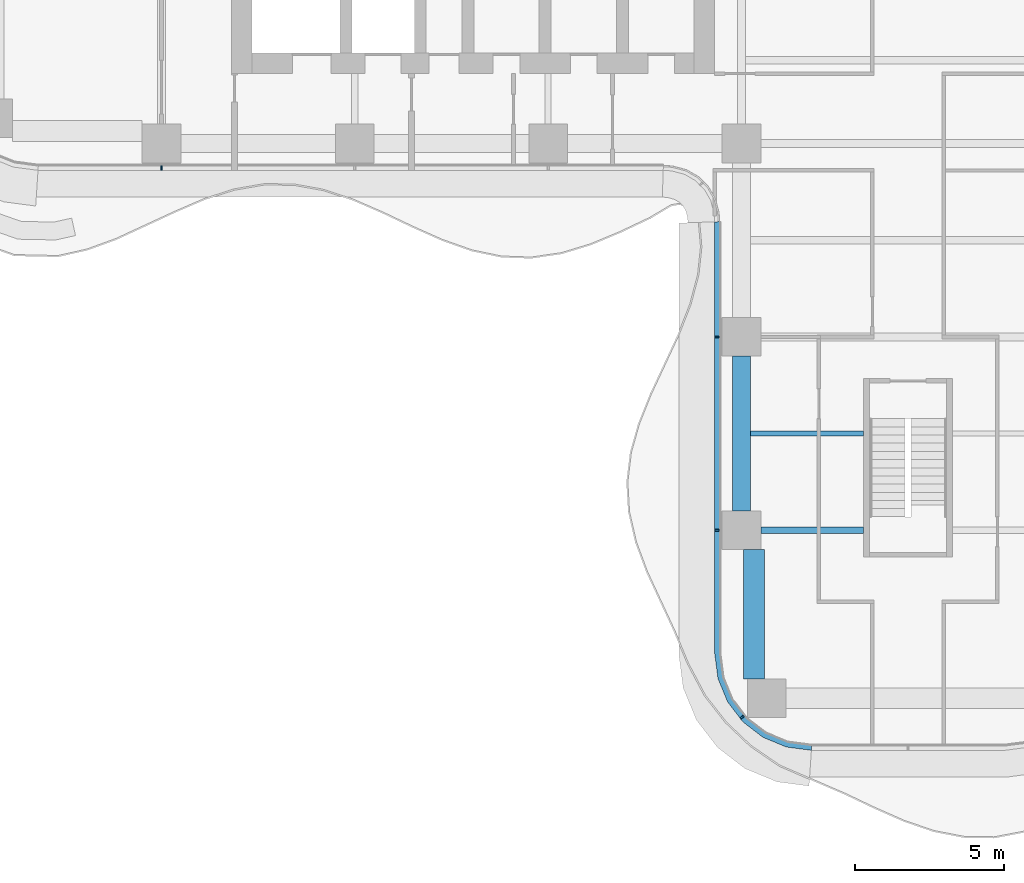
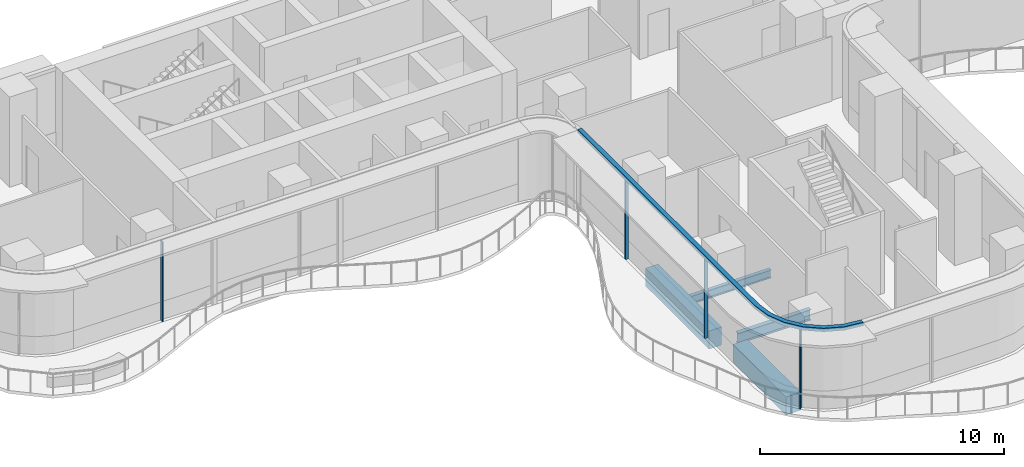
# One storey, part 2 of 20: 5 members, 4 beams, 2 elements without a shape of their own.
"""IFC4 building model written with IfcOpenShell, lengths in metres."""

from ifc_helpers import new_model, si_unit, direction, frame, origin, origin_2d, place, context, subcontext, project, spatial, polyline, rectangle, i_section, outline, extrude, source, transform, mapped, material, layer, layer_set, material_profile, profile_set, type_object, element, aggregate, save


model = new_model("IFC4")

# Units and contexts
model_context = context("Model", 3, precision=1e-05, world=origin(), true_north=direction((0.0, 1.0)))
body_context = subcontext(model_context, "Body", "Model", "MODEL_VIEW")
ifc_project = project(units=[si_unit("LENGTHUNIT", "METRE"), si_unit("AREAUNIT", "SQUARE_METRE"), si_unit("VOLUMEUNIT", "CUBIC_METRE"), si_unit("PLANEANGLEUNIT", "RADIAN"), si_unit("MASSUNIT", "GRAM", prefix="KILO")], contexts=[model_context])

# Site, building, storey
site_placement = place(None, origin())
site = spatial("IfcSite", under=ifc_project, at=site_placement, CompositionType="ELEMENT")
building_placement = place(site_placement, origin())
building = spatial("IfcBuilding", under=site, at=building_placement, Name="Trellis Farm Tower", CompositionType="ELEMENT")
storey_placement = place(building_placement, frame((0.0, 0.0, 151.5)))
storey = spatial("IfcBuildingStorey", under=building, at=storey_placement, Name="L32", CompositionType="ELEMENT", Elevation=151.5)

# Beams
ifc_material_1 = material(Name="Steel S355", Category="steel")
ifc_material_profile_1 = material_profile(ifc_material_1, i_section(OverallWidth=0.177978515625, OverallDepth=0.406494140625, WebThickness=0.0078125, FlangeThickness=0.0126953125, FilletRadius=0.01025390625, at=origin_2d()), Name="UB 406x178x60")
ifc_profile_set_1 = profile_set([ifc_material_profile_1], Name="Steel S355")
beam_type_1 = type_object("IfcBeamType", Name="UB 406x178x60 joist", PredefinedType="JOIST", material=ifc_profile_set_1)
shared_shape_1 = source(origin(), body_context, "Body", "SweptSolid", [
    extrude(i_section(OverallWidth=0.177978515625, OverallDepth=0.406494140625, WebThickness=0.0078125, FlangeThickness=0.0126953125, FilletRadius=0.01025390625, at=origin_2d()), origin(), (0.0, 0.0, 1.0), 3.800048828125),
])
beam_1_placement = place(storey_placement, frame((-5.300048828125, -15.35009765625, -0.453125), z_axis=(1.0, 0.0, 0.0), x_axis=(0.0, 1.0, 0.0)))
element("IfcBeam", 1, at=beam_1_placement, inside=storey, type_object=beam_type_1, Name="Floor beam", PredefinedType="JOIST", context=body_context, shape_type="MappedRepresentation", body=[
    mapped(shared_shape_1, transform((0.0, 0.0, 0.0))),
])
ifc_material_profile_2 = material_profile(ifc_material_1, i_section(OverallWidth=0.209228515625, OverallDepth=0.533203125, WebThickness=0.010009765625, FlangeThickness=0.015625, FilletRadius=0.0126953125, at=origin_2d()), Name="UB 533x210x92")
ifc_profile_set_2 = profile_set([ifc_material_profile_2], Name="Steel S355")
beam_type_2 = type_object("IfcBeamType", Name="UB 533x210x92", PredefinedType="BEAM", material=ifc_profile_set_2)
shared_shape_2 = source(origin(), body_context, "Body", "SweptSolid", [
    extrude(i_section(OverallWidth=0.209228515625, OverallDepth=0.533203125, WebThickness=0.010009765625, FlangeThickness=0.015625, FilletRadius=0.0126953125, at=origin_2d()), origin(), (0.0, 0.0, 1.0), 3.449951171875),
])
beam_2_placement = place(storey_placement, frame((-4.949951171875, -18.60009765625, -0.5166015625), z_axis=(1.0, 0.0, 0.0), x_axis=(0.0, 1.0, 0.0)))
element("IfcBeam", 2, at=beam_2_placement, inside=storey, type_object=beam_type_2, Name="Girder", PredefinedType="BEAM", context=body_context, shape_type="MappedRepresentation", body=[
    mapped(shared_shape_2, transform((0.0, 0.0, 0.0))),
])
ifc_material_2 = material(Name="Concrete C60/75", Category="concrete")
ifc_material_profile_3 = material_profile(ifc_material_2, rectangle(XDim=0.60009765625, YDim=0.89990234375, at=origin_2d()), Name="RC spandrel beam 600x900 C60/75")
ifc_profile_set_3 = profile_set([ifc_material_profile_3], Name="Concrete C60/75")
beam_type_3 = type_object("IfcBeamType", Name="RC spandrel beam 600x900 C60/75", PredefinedType="SPANDREL", material=ifc_profile_set_3)
shared_shape_3 = source(origin(), body_context, "Body", "SweptSolid", [
    extrude(rectangle(XDim=0.60009765625, YDim=0.89990234375, at=origin_2d()), origin(), (0.0, 0.0, 1.0), 5.199951171875),
])
beam_3_placement = place(storey_placement, frame((-5.60009765625, -17.949951171875, -0.699951171875), z_axis=(0.0, 1.0, 0.0), x_axis=(-1.0, 0.0, 0.0)))
element("IfcBeam", 3, at=beam_3_placement, inside=storey, type_object=beam_type_3, Name="Girder", PredefinedType="SPANDREL", context=body_context, shape_type="MappedRepresentation", body=[
    mapped(shared_shape_3, transform((0.0, 0.0, 0.0))),
])
ifc_material_profile_4 = material_profile(ifc_material_2, rectangle(XDim=0.699951171875, YDim=0.89990234375, at=origin_2d()), Name="RC spandrel beam 700x900 C60/75")
ifc_profile_set_4 = profile_set([ifc_material_profile_4], Name="Concrete C60/75")
beam_type_4 = type_object("IfcBeamType", Name="RC spandrel beam 700x900 C60/75", PredefinedType="SPANDREL", material=ifc_profile_set_4)
shared_shape_4 = source(origin(), body_context, "Body", "SweptSolid", [
    extrude(rectangle(XDim=0.699951171875, YDim=0.89990234375, at=origin_2d()), origin(), (0.0, 0.0, 1.0), 4.35009765625),
])
beam_4_placement = place(storey_placement, frame((-5.175048828125, -23.60009765625, -0.699951171875), z_axis=(0.0, 1.0, 0.0), x_axis=(-1.0, 0.0, 0.0)))
element("IfcBeam", 4, at=beam_4_placement, inside=storey, type_object=beam_type_4, Name="Girder", PredefinedType="SPANDREL", context=body_context, shape_type="MappedRepresentation", body=[
    mapped(shared_shape_4, transform((0.0, 0.0, 0.0))),
])

# Curtain wall, member
ifc_material_3 = material(Name="Aluminium and glass curtain wall", Category="aluminium")
ifc_layer_1 = layer(ifc_material_3, 0.18994140625)
ifc_layer_set_1 = layer_set([ifc_layer_1], Name="RIBBON CURTAIN WALL CW1")
curtain_wall_type = type_object("IfcCurtainWallType", Name="RIBBON CURTAIN WALL CW1", PredefinedType="NOTDEFINED", material=ifc_layer_set_1)
placement = place(storey_placement, origin())
curtain_wall_1 = element("IfcCurtainWall", 5, at=placement, inside=storey, type_object=curtain_wall_type, Name="CW1 002", PredefinedType="NOTDEFINED")
ifc_material_4 = material(Name="Aluminium extrusion 6063-T6", Category="aluminium")
ifc_layer_2 = layer(ifc_material_4, 0.199951171875)
ifc_layer_set_2 = layer_set([ifc_layer_2], Name="Aluminium extrusion 6063-T6")
member_type_1 = type_object("IfcMemberType", Name="CW1 TRANSOM 200x180", PredefinedType="USERDEFINED", material=ifc_layer_set_2)
shared_shape_5 = source(origin(), body_context, "Body", "SweptSolid", [
    extrude(outline(polyline([(-6.5, -8.2314453125), (-6.5, -22.75), (-6.38916015625, -23.591064453125), (-6.064697265625, -24.375), (-5.548095703125, -25.048095703125), (-4.875, -25.564697265625), (-4.091064453125, -25.88916015625), (-3.25, -26.0), (-3.23681640625, -25.800048828125), (-4.0390625, -25.6943359375), (-4.774169921875, -25.389892578125), (-5.405517578125, -24.905517578125), (-5.889892578125, -24.274169921875), (-6.1943359375, -23.5390625), (-6.300048828125, -22.73681640625), (-6.300048828125, -8.224853515625), (-6.5, -8.2314453125)])), origin(), (0.0, 0.0, 1.0), 0.179931640625),
])
member_1_placement = place(storey_placement, frame((0.0, 0.0, 3.969970703125)))
member_1 = element("IfcMember", 6, at=member_1_placement, type_object=member_type_1, Name="TR1 002", ObjectType="TRANSOM", PredefinedType="USERDEFINED", context=body_context, shape_type="MappedRepresentation", body=[
    mapped(shared_shape_5, transform((0.0, 0.0, 0.0))),
])

curtain_wall_2 = element("IfcCurtainWall", 7, at=placement, inside=storey, type_object=curtain_wall_type, Name="CW1 001", PredefinedType="NOTDEFINED")
ifc_material_profile_5 = material_profile(ifc_material_4, rectangle(XDim=0.06005859375, YDim=0.14990234375, at=origin_2d()), Name="MULLION 60x150")
ifc_profile_set_5 = profile_set([ifc_material_profile_5], Name="Aluminium extrusion 6063-T6")
member_type_2 = type_object("IfcMemberType", Name="CW1 MULLION 60x150", PredefinedType="MULLION", material=ifc_profile_set_5)
shared_shape_6 = source(origin(), body_context, "Body", "SweptSolid", [
    extrude(rectangle(XDim=0.06005859375, YDim=0.14990234375, at=origin_2d()), origin(), (0.0, 0.0, 1.0), 3.969970703125),
])
member_2_placement = place(storey_placement, frame((-25.10009765625, -6.425048828125, 0.0), z_axis=(0.0, 0.0, 1.0), x_axis=(1.0, 0.0, 0.0)))
member_2 = element("IfcMember", 8, at=member_2_placement, type_object=member_type_2, Name="MU1 001-01", PredefinedType="MULLION", context=body_context, shape_type="MappedRepresentation", body=[
    mapped(shared_shape_6, transform((0.0, 0.0, 0.0))),
])
aggregate(curtain_wall_2, [member_2])

# Member
member_3_placement = place(storey_placement, frame((-6.425048828125, -12.10009765625, 0.0), z_axis=(0.0, 0.0, 1.0), x_axis=(0.0, -1.0, 0.0)))
member_3 = element("IfcMember", 9, at=member_3_placement, type_object=member_type_2, Name="MU1 002-01", PredefinedType="MULLION", context=body_context, shape_type="MappedRepresentation", body=[
    mapped(shared_shape_6, transform((0.0, 0.0, 0.0))),
])

member_4_placement = place(storey_placement, frame((-6.425048828125, -18.60009765625, 0.0), z_axis=(0.0, 0.0, 1.0), x_axis=(0.0, -1.0, 0.0)))
member_4 = element("IfcMember", 10, at=member_4_placement, type_object=member_type_2, Name="MU1 002-02", PredefinedType="MULLION", context=body_context, shape_type="MappedRepresentation", body=[
    mapped(shared_shape_6, transform((0.0, 0.0, 0.0))),
])

member_5_placement = place(storey_placement, frame((-5.578369140625, -24.885498046875, 0.0), z_axis=(0.0, 0.0, 1.0), x_axis=(0.608761429009, -0.793353340291, 0.0)))
member_5 = element("IfcMember", 11, at=member_5_placement, type_object=member_type_2, Name="MU1 002-03", PredefinedType="MULLION", context=body_context, shape_type="MappedRepresentation", body=[
    mapped(shared_shape_6, transform((0.0, 0.0, 0.0))),
])

aggregate(curtain_wall_1, [member_3, member_4, member_5, member_1])

save(model, "model.ifc")
